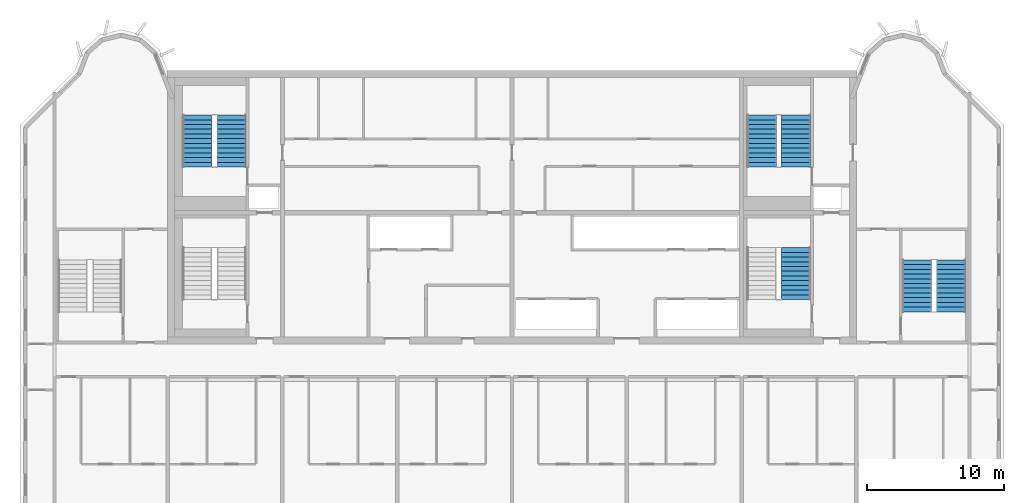
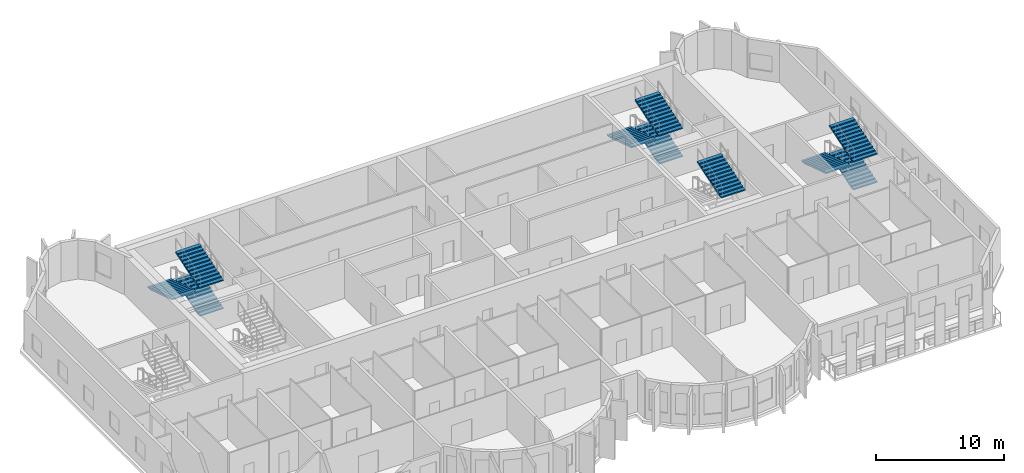
# One storey, part 9 of 12: 10 stair flights, 4 elements without a shape of their own.
"""IFC4 building model written with IfcOpenShell, lengths in metres."""

import ifcopenshell
import ifcopenshell.guid

model = None  # the IFC model being written
_history = None  # IfcOwnerHistory: only IFC2X3 demands one
_inside = {}  # id of a spatial element -> (the spatial element, [elements in it])
_under = {}  # id of a project, library or spatial element -> (it, [spatial elements below it])
_declared = {}  # id of a project -> (the project, [libraries it declares])
_typed = {}  # id of a type object -> (the type object, [elements of that type])
_made_of = {}  # id of a material, layer set ... -> (it, [elements and type objects made of it])


def new_model(schema):
    """Start an empty IFC model of exactly this schema.

    Asked for "IFC4X3", IfcOpenShell would pick the latest addendum, in which some entities
    have other attributes; the version numbers below select the first issue.
    IFC2X3 requires an IfcOwnerHistory on every rooted entity: one is made here for all.
    """
    global model, _history
    if schema == "IFC4X3":
        model = ifcopenshell.file(schema_version=(4, 3, 0, 0))
    else:
        model = ifcopenshell.file(schema=schema)
    _inside.clear()
    _under.clear()
    _declared.clear()
    _typed.clear()
    _made_of.clear()
    _history = None
    if model.schema == "IFC2X3":
        org = make("IfcOrganization", Name="unknown")
        user = make(
            "IfcPersonAndOrganization",
            ThePerson=make("IfcPerson", FamilyName="unknown"),
            TheOrganization=org,
        )
        app = make(
            "IfcApplication",
            ApplicationDeveloper=org,
            Version="unknown",
            ApplicationFullName="unknown",
            ApplicationIdentifier="unknown",
        )
        _history = make(
            "IfcOwnerHistory",
            OwningUser=user,
            OwningApplication=app,
            ChangeAction="ADDED",
            CreationDate=0,
        )
    return model


def make(cls, **values):
    """One entity of the class cls with the attributes given. An attribute that is None is left unset."""
    return model.create_entity(
        cls, **{name: value for name, value in values.items() if value is not None}
    )


def rooted(cls, **values):
    """An entity with a GlobalId (a new one), such as an element, a storey or a relation."""
    return make(cls, GlobalId=ifcopenshell.guid.new(), OwnerHistory=_history, **values)


def si_unit(unit_type, name, prefix=None):
    """IfcSIUnit, for example si_unit("LENGTHUNIT", "METRE", prefix="MILLI")."""
    return make("IfcSIUnit", UnitType=unit_type, Prefix=prefix, Name=name)


def assignment(units):
    """IfcUnitAssignment: the units of a project."""
    return None if units is None else make("IfcUnitAssignment", Units=units)


def point(xyz):
    """IfcCartesianPoint."""
    return None if xyz is None else make("IfcCartesianPoint", Coordinates=xyz)


def direction(xyz):
    """IfcDirection."""
    return None if xyz is None else make("IfcDirection", DirectionRatios=xyz)


def frame(location, z_axis=None, x_axis=None):
    """IfcAxis2Placement3D, a coordinate frame: its origin and axes. An axis left out is left unset."""
    return make(
        "IfcAxis2Placement3D",
        Location=point(location),
        Axis=direction(z_axis),
        RefDirection=direction(x_axis),
    )


def origin():
    """The frame at (0, 0, 0) with its axes left unset."""
    return frame((0.0, 0.0, 0.0))


def place(relative_to, where):
    """IfcLocalPlacement: puts the frame where relative to a parent placement (None: the world)."""
    return make(
        "IfcLocalPlacement", PlacementRelTo=relative_to, RelativePlacement=where
    )


def context(
    kind, dimensions, precision=None, world=None, true_north=None, identifier=None
):
    """IfcGeometricRepresentationContext, for example the 3D "Model" context."""
    return make(
        "IfcGeometricRepresentationContext",
        ContextIdentifier=identifier,
        ContextType=kind,
        CoordinateSpaceDimension=dimensions,
        Precision=precision,
        WorldCoordinateSystem=world,
        TrueNorth=true_north,
    )


def subcontext(parent, identifier, kind, view, scale=None):
    """IfcGeometricRepresentationSubContext, for example "Body" below "Model"."""
    return make(
        "IfcGeometricRepresentationSubContext",
        ContextIdentifier=identifier,
        ContextType=kind,
        ParentContext=parent,
        TargetScale=scale,
        TargetView=view,
    )


def project(units=None, contexts=None):
    """IfcProject with its units and contexts."""
    return rooted(
        "IfcProject",
        Name="project",
        RepresentationContexts=contexts,
        UnitsInContext=assignment(units),
    )


def spatial(cls, under=None, at=None, **own):
    """A site, building, storey or space (cls), placed at a placement, below another one or the project."""
    s = rooted(cls, ObjectPlacement=at, **own)
    if under is not None:
        _under.setdefault(under.id(), (under, []))[1].append(s)
    return s


def polyline(points):
    """IfcPolyline through the points."""
    return make("IfcPolyline", Points=[point(p) for p in points])


def outline(outer, holes=None, kind="AREA"):
    """IfcArbitraryClosedProfileDef: a profile drawn as a closed curve; with holes, ...WithVoids."""
    if holes is None:
        return make("IfcArbitraryClosedProfileDef", ProfileType=kind, OuterCurve=outer)
    return make(
        "IfcArbitraryProfileDefWithVoids",
        ProfileType=kind,
        OuterCurve=outer,
        InnerCurves=holes,
    )


def extrude(swept, where, along, depth):
    """IfcExtrudedAreaSolid: the profile swept, set in the frame where, extruded along a direction by depth."""
    return make(
        "IfcExtrudedAreaSolid",
        SweptArea=swept,
        Position=where,
        ExtrudedDirection=direction(along),
        Depth=depth,
    )


def shape(context_of_items, identifier, shape_type, items):
    """IfcShapeRepresentation: the items that make up one representation, for example the "Body"."""
    return make(
        "IfcShapeRepresentation",
        ContextOfItems=context_of_items,
        RepresentationIdentifier=identifier,
        RepresentationType=shape_type,
        Items=items,
    )


def source(mapping_origin, context_of_items, identifier, shape_type, items):
    """IfcRepresentationMap: a shape defined once, which mapped items show again and again."""
    return make(
        "IfcRepresentationMap",
        MappingOrigin=mapping_origin,
        MappedRepresentation=shape(context_of_items, identifier, shape_type, items),
    )


def transform(
    local_origin,
    x_axis=None,
    y_axis=None,
    z_axis=None,
    scale=None,
    scale2=None,
    scale3=None,
    uniform=True,
):
    """IfcCartesianTransformationOperator3D, or its non-uniform kind. x_axis, y_axis, z_axis: its Axis1, 2, 3."""
    if uniform:
        return make(
            "IfcCartesianTransformationOperator3D",
            Axis1=direction(x_axis),
            Axis2=direction(y_axis),
            LocalOrigin=point(local_origin),
            Scale=scale,
            Axis3=direction(z_axis),
        )
    return make(
        "IfcCartesianTransformationOperator3DnonUniform",
        Axis1=direction(x_axis),
        Axis2=direction(y_axis),
        LocalOrigin=point(local_origin),
        Scale=scale,
        Axis3=direction(z_axis),
        Scale2=scale2,
        Scale3=scale3,
    )


def mapped(mapping_source, mapping_target):
    """IfcMappedItem: shows the shape of a source again, moved by a transform."""
    return make(
        "IfcMappedItem", MappingSource=mapping_source, MappingTarget=mapping_target
    )


def material(Name=None, Category=None):
    """IfcMaterial."""
    return make("IfcMaterial", Name=Name, Category=Category)


def made_of(thing, what):
    """Note that an element or type object is made of a material, layer set ...; save() writes the relation."""
    if what is not None:
        _made_of.setdefault(what.id(), (what, []))[1].append(thing)
    return thing


def type_object(cls, material=None, **own):
    """A type object (cls), such as IfcWallType, which elements share."""
    return made_of(rooted(cls, **own), material)


def element(
    cls,
    number,
    at=None,
    inside=None,
    cuts=None,
    type_object=None,
    material=None,
    context=None,
    identifier="Body",
    shape_type=None,
    held_by="IfcProductDefinitionShape",
    body=None,
    shapes=None,
    **own,
):
    """One element of the class cls, such as IfcWall. Its Tag is "e" and its number.

    at: its placement. inside: the storey or other place that contains it. cuts: it is an
    opening in that element (IfcRelVoidsElement). A single representation is given by context,
    identifier, shape_type and body (its items); several are given by shapes. held_by: the class
    of the entity that holds the representations. save() writes the other relations.
    """
    e = rooted(cls, Tag="e%d" % number, ObjectPlacement=at, **own)
    if body is not None:
        shapes = [shape(context, identifier, shape_type, body)]
    if shapes is not None:
        e.Representation = make(held_by, Representations=shapes)
    if inside is not None:
        _inside.setdefault(inside.id(), (inside, []))[1].append(e)
    if cuts is not None:
        rooted(
            "IfcRelVoidsElement", RelatingBuildingElement=cuts, RelatedOpeningElement=e
        )
    if type_object is not None:
        _typed.setdefault(type_object.id(), (type_object, []))[1].append(e)
    return made_of(e, material)


def aggregate(whole, parts):
    """IfcRelAggregates: a whole, such as a stair, and the parts it consists of."""
    return rooted("IfcRelAggregates", RelatingObject=whole, RelatedObjects=parts)


def save(model, path):
    """Write the relations noted so far, then the file.

    IfcRelAggregates (storeys below a building ...), IfcRelContainedInSpatialStructure (elements
    in a storey), IfcRelDefinesByType, IfcRelAssociatesMaterial and IfcRelDeclares: one each for
    every whole, place, type object, material and project.
    """
    for whole, parts in _under.values():
        aggregate(whole, parts)
    for where, things in _inside.values():
        rooted(
            "IfcRelContainedInSpatialStructure",
            RelatedElements=things,
            RelatingStructure=where,
        )
    for kind, things in _typed.values():
        rooted("IfcRelDefinesByType", RelatedObjects=things, RelatingType=kind)
    for what, things in _made_of.values():
        rooted("IfcRelAssociatesMaterial", RelatedObjects=things, RelatingMaterial=what)
    for by, libraries in _declared.values():
        rooted("IfcRelDeclares", RelatingContext=by, RelatedDefinitions=libraries)
    model.write(path)


model = new_model("IFC4")

# Units and contexts
model_context = context("Model", 3, precision=1e-05, world=origin(), true_north=direction((0.0, 1.0)))
body_context = subcontext(model_context, "Body", "Model", "MODEL_VIEW")
ifc_project = project(units=[si_unit("LENGTHUNIT", "METRE"), si_unit("AREAUNIT", "SQUARE_METRE"), si_unit("VOLUMEUNIT", "CUBIC_METRE"), si_unit("PLANEANGLEUNIT", "RADIAN"), si_unit("MASSUNIT", "GRAM", prefix="KILO")], contexts=[model_context])

# Site, building, storey
site_placement = place(None, origin())
site = spatial("IfcSite", under=ifc_project, at=site_placement, CompositionType="ELEMENT")
building_placement = place(site_placement, origin())
building = spatial("IfcBuilding", under=site, at=building_placement, Name="Vanashikhar Sky Hotel", CompositionType="ELEMENT")
storey_placement = place(building_placement, frame((0.0, 0.0, 281.699951171875)))
storey = spatial("IfcBuildingStorey", under=building, at=storey_placement, Name="L67", CompositionType="ELEMENT", Elevation=281.699951171875)

# Stair, stair flight
ifc_material = material(Name="Concrete M40", Category="concrete")
stair_type = type_object("IfcStairType", Name="Exit stair 2150", PredefinedType="DOUBLE_RETURN_STAIR", material=ifc_material)
stair_1_placement = place(storey_placement, origin())
stair_1 = element("IfcStair", 1, at=stair_1_placement, inside=storey, type_object=stair_type, Name="L67 Exit stair 2", PredefinedType="DOUBLE_RETURN_STAIR")
stair_flight_type = type_object("IfcStairFlightType", Name="Stair flight 2150", PredefinedType="STRAIGHT", material=ifc_material)
shared_shape = source(origin(), body_context, "Body", "SweptSolid", [
    extrude(outline(polyline([(0.0, 0.0), (0.0, 0.111083984375), (0.345458984375, 0.111083984375), (0.345458984375, 0.22216796875), (0.69091796875, 0.22216796875), (0.69091796875, 0.333251953125), (1.036376953125, 0.333251953125), (1.036376953125, 0.4443359375), (1.3818359375, 0.4443359375), (1.3818359375, 0.5556640625), (1.727294921875, 0.5556640625), (1.727294921875, 0.666748046875), (2.07275390625, 0.666748046875), (2.07275390625, 0.77783203125), (2.418212890625, 0.77783203125), (2.418212890625, 0.888916015625), (2.763671875, 0.888916015625), (2.763671875, 1.0), (3.109130859375, 1.0), (3.109130859375, 1.111083984375), (3.45458984375, 1.111083984375), (3.45458984375, 1.22216796875), (3.800048828125, 1.22216796875), (3.800048828125, 1.333251953125), (3.800048828125, 1.095947265625), (0.392333984375, 0.0), (0.0, 0.0)])), frame((0.0, 1.074951171875, 0.0), z_axis=(0.0, -1.0, 0.0), x_axis=(1.0, 0.0, 0.0)), (0.0, 0.0, 1.0), 2.14990234375),
])
stair_flight_1_placement = place(storey_placement, frame((71.175048828125, 25.25, 2.666748046875), z_axis=(0.0, 0.0, 1.0), x_axis=(0.0, 1.0, 0.0)))
stair_flight_1 = element("IfcStairFlight", 2, at=stair_flight_1_placement, type_object=stair_flight_type, Name="ST-C2 flight 3", NumberOfRisers=12, NumberOfTreads=11, PredefinedType="STRAIGHT", RiserHeight=0.111111111, TreadLength=0.345454545, context=body_context, shape_type="MappedRepresentation", body=[
    mapped(shared_shape, transform((0.0, 0.0, 0.0), scale=1.0)),
])
aggregate(stair_1, [stair_flight_1])

# Stair, stair flights
stair_2_placement = place(storey_placement, origin())
stair_2 = element("IfcStair", 3, at=stair_2_placement, inside=storey, type_object=stair_type, Name="L67 Exit stair 4", PredefinedType="DOUBLE_RETURN_STAIR")
stair_flight_2_placement = place(storey_placement, frame((82.52490234375, 24.35009765625, 0.0), z_axis=(0.0, 0.0, 1.0), x_axis=(0.0, 1.0, 0.0)))
stair_flight_2 = element("IfcStairFlight", 4, at=stair_flight_2_placement, type_object=stair_flight_type, Name="ST-E flight 1", NumberOfRisers=12, NumberOfTreads=11, PredefinedType="STRAIGHT", RiserHeight=0.111111111, TreadLength=0.345454545, context=body_context, shape_type="MappedRepresentation", body=[
    mapped(shared_shape, transform((0.0, 0.0, 0.0), scale=1.0)),
])
stair_flight_3_placement = place(storey_placement, frame((80.02490234375, 28.14990234375, 1.33349609375), z_axis=(0.0, 0.0, 1.0), x_axis=(0.0, -1.0, 0.0)))
stair_flight_3 = element("IfcStairFlight", 5, at=stair_flight_3_placement, type_object=stair_flight_type, Name="ST-E flight 2", NumberOfRisers=12, NumberOfTreads=11, PredefinedType="STRAIGHT", RiserHeight=0.111111111, TreadLength=0.345454545, context=body_context, shape_type="MappedRepresentation", body=[
    mapped(shared_shape, transform((0.0, 0.0, 0.0), scale=1.0)),
])
stair_flight_4_placement = place(storey_placement, frame((82.52490234375, 24.35009765625, 2.666748046875), z_axis=(0.0, 0.0, 1.0), x_axis=(0.0, 1.0, 0.0)))
stair_flight_4 = element("IfcStairFlight", 6, at=stair_flight_4_placement, type_object=stair_flight_type, Name="ST-E flight 3", NumberOfRisers=12, NumberOfTreads=11, PredefinedType="STRAIGHT", RiserHeight=0.111111111, TreadLength=0.345454545, context=body_context, shape_type="MappedRepresentation", body=[
    mapped(shared_shape, transform((0.0, 0.0, 0.0), scale=1.0)),
])
aggregate(stair_2, [stair_flight_2, stair_flight_3, stair_flight_4])

stair_3_placement = place(storey_placement, origin())
stair_3 = element("IfcStair", 7, at=stair_3_placement, inside=storey, type_object=stair_type, Name="L67 Exit stair 5", PredefinedType="DOUBLE_RETURN_STAIR")
stair_flight_5_placement = place(storey_placement, frame((29.875, 34.949951171875, 0.0), z_axis=(0.0, 0.0, 1.0), x_axis=(0.0, 1.0, 0.0)))
stair_flight_5 = element("IfcStairFlight", 8, at=stair_flight_5_placement, type_object=stair_flight_type, Name="ST-C3 flight 1", NumberOfRisers=12, NumberOfTreads=11, PredefinedType="STRAIGHT", RiserHeight=0.111111111, TreadLength=0.345454545, context=body_context, shape_type="MappedRepresentation", body=[
    mapped(shared_shape, transform((0.0, 0.0, 0.0), scale=1.0)),
])
stair_flight_6_placement = place(storey_placement, frame((27.375, 38.75, 1.33349609375), z_axis=(0.0, 0.0, 1.0), x_axis=(0.0, -1.0, 0.0)))
stair_flight_6 = element("IfcStairFlight", 9, at=stair_flight_6_placement, type_object=stair_flight_type, Name="ST-C3 flight 2", NumberOfRisers=12, NumberOfTreads=11, PredefinedType="STRAIGHT", RiserHeight=0.111111111, TreadLength=0.345454545, context=body_context, shape_type="MappedRepresentation", body=[
    mapped(shared_shape, transform((0.0, 0.0, 0.0), scale=1.0)),
])
stair_flight_7_placement = place(storey_placement, frame((29.875, 34.949951171875, 2.666748046875), z_axis=(0.0, 0.0, 1.0), x_axis=(0.0, 1.0, 0.0)))
stair_flight_7 = element("IfcStairFlight", 10, at=stair_flight_7_placement, type_object=stair_flight_type, Name="ST-C3 flight 3", NumberOfRisers=12, NumberOfTreads=11, PredefinedType="STRAIGHT", RiserHeight=0.111111111, TreadLength=0.345454545, context=body_context, shape_type="MappedRepresentation", body=[
    mapped(shared_shape, transform((0.0, 0.0, 0.0), scale=1.0)),
])
aggregate(stair_3, [stair_flight_5, stair_flight_6, stair_flight_7])

stair_4_placement = place(storey_placement, origin())
stair_4 = element("IfcStair", 11, at=stair_4_placement, inside=storey, type_object=stair_type, Name="L67 Exit stair 6", PredefinedType="DOUBLE_RETURN_STAIR")
stair_flight_8_placement = place(storey_placement, frame((71.175048828125, 34.949951171875, 0.0), z_axis=(0.0, 0.0, 1.0), x_axis=(0.0, 1.0, 0.0)))
stair_flight_8 = element("IfcStairFlight", 12, at=stair_flight_8_placement, type_object=stair_flight_type, Name="ST-C4 flight 1", NumberOfRisers=12, NumberOfTreads=11, PredefinedType="STRAIGHT", RiserHeight=0.111111111, TreadLength=0.345454545, context=body_context, shape_type="MappedRepresentation", body=[
    mapped(shared_shape, transform((0.0, 0.0, 0.0), scale=1.0)),
])
stair_flight_9_placement = place(storey_placement, frame((68.675048828125, 38.75, 1.33349609375), z_axis=(0.0, 0.0, 1.0), x_axis=(0.0, -1.0, 0.0)))
stair_flight_9 = element("IfcStairFlight", 13, at=stair_flight_9_placement, type_object=stair_flight_type, Name="ST-C4 flight 2", NumberOfRisers=12, NumberOfTreads=11, PredefinedType="STRAIGHT", RiserHeight=0.111111111, TreadLength=0.345454545, context=body_context, shape_type="MappedRepresentation", body=[
    mapped(shared_shape, transform((0.0, 0.0, 0.0), scale=1.0)),
])
stair_flight_10_placement = place(storey_placement, frame((71.175048828125, 34.949951171875, 2.666748046875), z_axis=(0.0, 0.0, 1.0), x_axis=(0.0, 1.0, 0.0)))
stair_flight_10 = element("IfcStairFlight", 14, at=stair_flight_10_placement, type_object=stair_flight_type, Name="ST-C4 flight 3", NumberOfRisers=12, NumberOfTreads=11, PredefinedType="STRAIGHT", RiserHeight=0.111111111, TreadLength=0.345454545, context=body_context, shape_type="MappedRepresentation", body=[
    mapped(shared_shape, transform((0.0, 0.0, 0.0), scale=1.0)),
])
aggregate(stair_4, [stair_flight_8, stair_flight_9, stair_flight_10])

save(model, "model.ifc")
